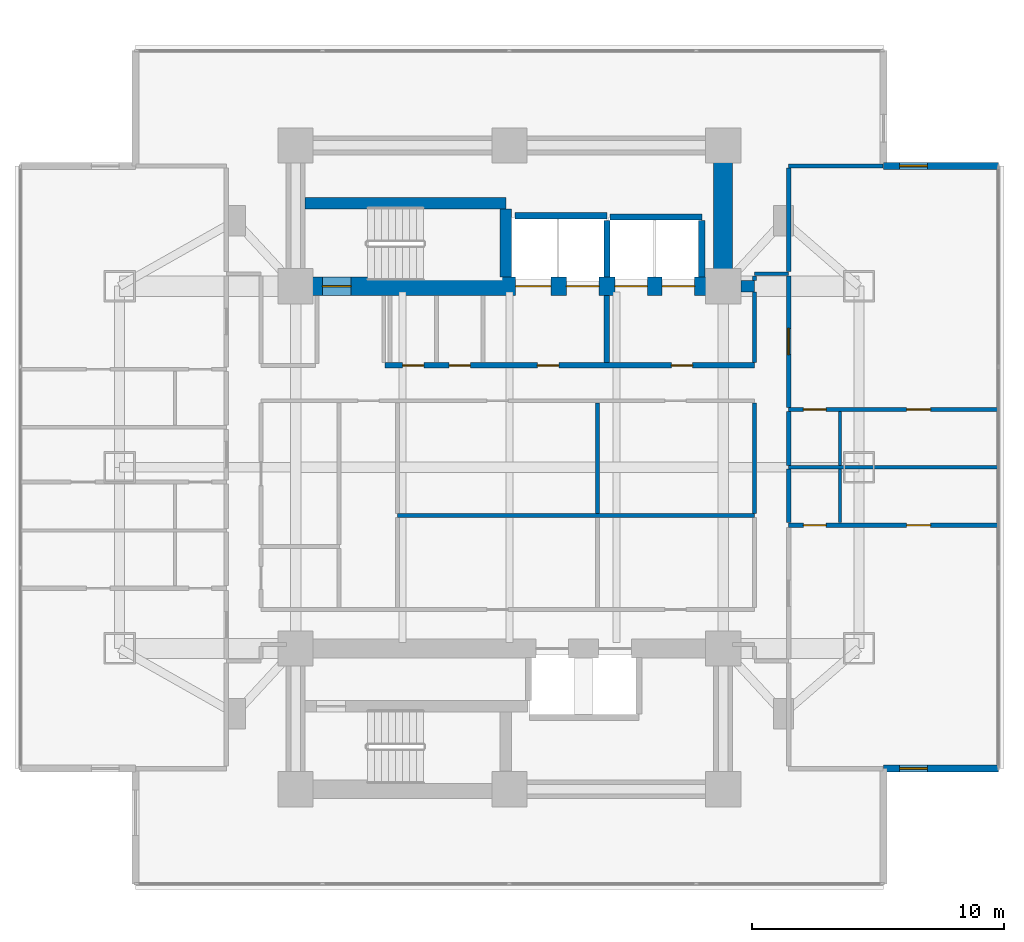
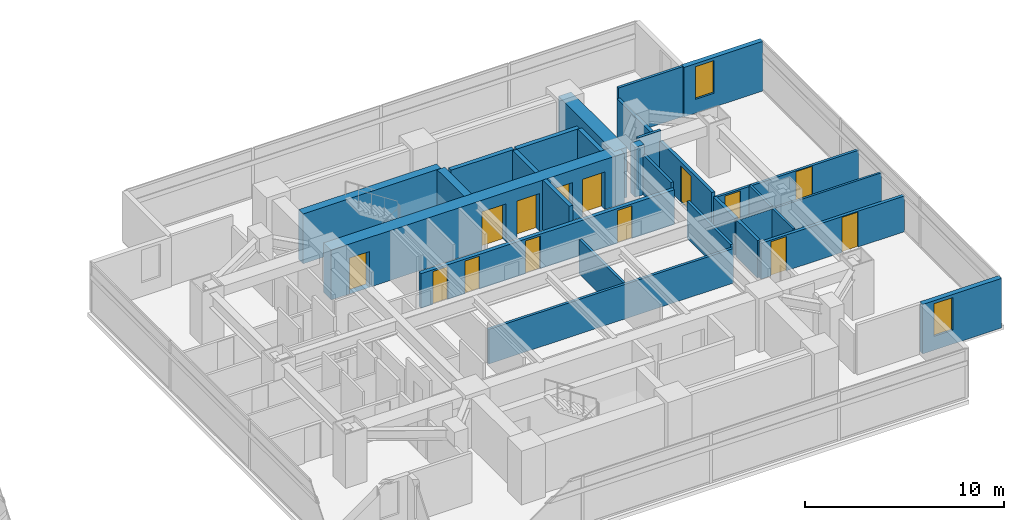
# One storey, part 20 of 26: 29 walls, 14 doors, 2 windows, 16 openings.
"""IFC4 building model written with IfcOpenShell, lengths in metres."""

from ifc_helpers import new_model, si_unit, direction, frame, frame_2d, origin, place, context, subcontext, project, spatial, rectangle, extrude, material, layer, layer_set, type_object, element, fill, save


model = new_model("IFC4")

# Units and contexts
model_context = context("Model", 3, precision=1e-05, world=origin(), true_north=direction((0.0, 1.0)))
body_context = subcontext(model_context, "Body", "Model", "MODEL_VIEW")
ifc_project = project(units=[si_unit("LENGTHUNIT", "METRE"), si_unit("AREAUNIT", "SQUARE_METRE"), si_unit("VOLUMEUNIT", "CUBIC_METRE"), si_unit("PLANEANGLEUNIT", "RADIAN"), si_unit("MASSUNIT", "GRAM", prefix="KILO")], contexts=[model_context])

# Site, building, storey
site_placement = place(None, origin())
site = spatial("IfcSite", under=ifc_project, at=site_placement, CompositionType="ELEMENT")
building_placement = place(site_placement, origin())
building = spatial("IfcBuilding", under=site, at=building_placement, Name="Mirazonda Arch Towers", CompositionType="ELEMENT")
storey_placement = place(building_placement, frame((0.0, 0.0, 45.5)))
storey = spatial("IfcBuildingStorey", under=building, at=storey_placement, Name="L12", CompositionType="ELEMENT", Elevation=45.5)

# Walls
ifc_material_1 = material(Name="Concrete C50/60", Category="concrete")
ifc_layer_1 = layer(ifc_material_1, 0.449951171875, Name="WALL-CORE-450")
ifc_layer_set_1 = layer_set([ifc_layer_1], Name="Concrete C50/60")
wall_type_1 = type_object("IfcWallType", Name="WALL-CORE-450", PredefinedType="SHEAR", material=ifc_layer_set_1)
wall_1_placement = place(storey_placement, frame((85.715087890625, 35.199951171875, 0.0), z_axis=(0.0, 0.0, 1.0), x_axis=(1.0, 0.0, 0.0)))
element("IfcWall", 1, at=wall_1_placement, inside=storey, type_object=wall_type_1, Name="L12 Stair Core Shear Wall 050", PredefinedType="SHEAR", context=body_context, shape_type="SweptSolid", body=[
    extrude(rectangle(XDim=0.534912109375, YDim=0.449951171875, at=frame_2d((0.267578125, 0.0))), origin(), (0.0, 0.0, 1.0), 3.06005859375),
])
wall_2_placement = place(storey_placement, frame((68.3701171875, 38.5, 0.0), z_axis=(0.0, 0.0, 1.0), x_axis=(1.0, 0.0, 0.0)))
element("IfcWall", 2, at=wall_2_placement, inside=storey, type_object=wall_type_1, Name="L12 Stair Core Shear Wall 056", PredefinedType="SHEAR", context=body_context, shape_type="SweptSolid", body=[
    extrude(rectangle(XDim=7.989990234375, YDim=0.449951171875, at=frame_2d((3.9951171875, 0.0))), origin(), (0.0, 0.0, 1.0), 3.06005859375),
])
wall_3_placement = place(storey_placement, frame((76.360107421875, 35.570068359375, 0.0), z_axis=(0.0, 0.0, 1.0), x_axis=(0.0, 1.0, 0.0)))
element("IfcWall", 3, at=wall_3_placement, inside=storey, type_object=wall_type_1, Name="L12 Stair Core Shear Wall 152", PredefinedType="SHEAR", context=body_context, shape_type="SweptSolid", body=[
    extrude(rectangle(XDim=2.69482421875, YDim=0.449951171875, at=frame_2d((1.347412109375, 0.0))), origin(), (0.0, 0.0, 1.0), 3.06005859375),
])
ifc_material_2 = material(Name="Concrete C60/75", Category="concrete")
ifc_layer_2 = layer(ifc_material_2, 0.75, Name="WALL-CORE-750")
ifc_layer_set_2 = layer_set([ifc_layer_2], Name="Concrete C60/75")
wall_type_2 = type_object("IfcWallType", Name="WALL-CORE-750", PredefinedType="SHEAR", material=ifc_layer_set_2)
wall_4_placement = place(storey_placement, frame((85.0, 35.199951171875, 0.0), z_axis=(0.0, 0.0, 1.0), x_axis=(0.0, 1.0, 0.0)))
element("IfcWall", 4, at=wall_4_placement, inside=storey, type_object=wall_type_2, Name="L12 T2N-E Core Shear Wall", PredefinedType="SHEAR", context=body_context, shape_type="SweptSolid", body=[
    extrude(rectangle(XDim=5.60009765625, YDim=0.75, at=frame_2d((2.800048828125, 0.0))), origin(), (0.0, 0.0, 1.0), 3.06005859375),
])

# Wall, openings, doors
wall_5_placement = place(storey_placement, frame((68.0, 35.199951171875, 0.0), z_axis=(0.0, 0.0, 1.0), x_axis=(1.0, 0.0, 0.0)))
wall_5 = element("IfcWall", 5, at=wall_5_placement, inside=storey, type_object=wall_type_2, Name="L12 T2N-S Core Shear Wall", PredefinedType="SHEAR", context=body_context, shape_type="SweptSolid", body=[
    extrude(rectangle(XDim=17.0, YDim=0.75, at=frame_2d((8.5, 0.0))), origin(), (0.0, 0.0, 1.0), 3.06005859375),
])
opening_1_placement = place(wall_5_placement, frame((1.06005859375, 0.0, 0.0)))
opening_1 = element("IfcOpeningElement", 6, at=opening_1_placement, cuts=wall_5, Name="Opening DR-135", PredefinedType="OPENING", context=body_context, shape_type="SweptSolid", body=[
    extrude(rectangle(XDim=1.14990234375, YDim=2.199951171875, at=frame_2d((0.574951171875, 1.10009765625))), frame((0.0, 0.385009765625, 0.0), z_axis=(0.0, -1.0, 0.0), x_axis=(1.0, 0.0, 0.0)), (0.0, 0.0, 1.0), 0.77001953125),
])
opening_2_placement = place(wall_5_placement, frame((8.75, 0.0, 0.0)))
opening_2 = element("IfcOpeningElement", 7, at=opening_2_placement, cuts=wall_5, Name="Opening LD-112", PredefinedType="OPENING", context=body_context, shape_type="SweptSolid", body=[
    extrude(rectangle(XDim=1.39990234375, YDim=2.35009765625, at=frame_2d((0.699951171875, 1.175048828125))), frame((0.0, 0.385009765625, 0.0), z_axis=(0.0, -1.0, 0.0), x_axis=(1.0, 0.0, 0.0)), (0.0, 0.0, 1.0), 0.77001953125),
])
opening_3_placement = place(wall_5_placement, frame((10.77001953125, 0.0, 0.0)))
opening_3 = element("IfcOpeningElement", 8, at=opening_3_placement, cuts=wall_5, Name="Opening LD-111", PredefinedType="OPENING", context=body_context, shape_type="SweptSolid", body=[
    extrude(rectangle(XDim=1.300048828125, YDim=2.300048828125, at=frame_2d((0.64990234375, 1.14990234375))), frame((0.0, 0.385009765625, 0.0), z_axis=(0.0, -1.0, 0.0), x_axis=(1.0, 0.0, 0.0)), (0.0, 0.0, 1.0), 0.77001953125),
])
opening_4_placement = place(wall_5_placement, frame((12.68994140625, 0.0, 0.0)))
opening_4 = element("IfcOpeningElement", 9, at=opening_4_placement, cuts=wall_5, Name="Opening LD-111", PredefinedType="OPENING", context=body_context, shape_type="SweptSolid", body=[
    extrude(rectangle(XDim=1.300048828125, YDim=2.300048828125, at=frame_2d((0.64990234375, 1.14990234375))), frame((0.0, 0.385009765625, 0.0), z_axis=(0.0, -1.0, 0.0), x_axis=(1.0, 0.0, 0.0)), (0.0, 0.0, 1.0), 0.77001953125),
])
opening_5_placement = place(wall_5_placement, frame((14.570068359375, 0.0, 0.0)))
opening_5 = element("IfcOpeningElement", 10, at=opening_5_placement, cuts=wall_5, Name="Opening LD-111", PredefinedType="OPENING", context=body_context, shape_type="SweptSolid", body=[
    extrude(rectangle(XDim=1.300048828125, YDim=2.300048828125, at=frame_2d((0.64990234375, 1.14990234375))), frame((0.0, 0.385009765625, 0.0), z_axis=(0.0, -1.0, 0.0), x_axis=(1.0, 0.0, 0.0)), (0.0, 0.0, 1.0), 0.77001953125),
])
ifc_material_3 = material(Name="Architectural Brushed Steel S355", Category="steel")
door_type_1 = type_object("IfcDoorType", Name="DOOR-LIFT-FFL-1400", OperationType="NOTDEFINED", PredefinedType="DOOR", material=ifc_material_3)
door_1_placement = place(opening_2_placement, origin())
door_1 = element("IfcDoor", 11, at=door_1_placement, inside=storey, type_object=door_type_1, Name="L12 Lift Landing Sliding Door FFL-T2", OperationType="DOUBLE_DOOR_SLIDING", OverallHeight=2.35009765625, OverallWidth=1.39990234375, PredefinedType="DOOR", context=body_context, shape_type="SweptSolid", body=[
    extrude(rectangle(XDim=1.39990234375, YDim=2.35009765625, at=frame_2d((0.699951171875, 1.175048828125))), frame((0.0, 0.02490234375, 0.0), z_axis=(0.0, -1.0, 0.0), x_axis=(1.0, 0.0, 0.0)), (0.0, 0.0, 1.0), 0.050048828125),
])
fill(opening_2, door_1)
door_type_2 = type_object("IfcDoorType", Name="DOOR-LIFT-LAND-1300", OperationType="NOTDEFINED", PredefinedType="DOOR", material=ifc_material_3)
door_2_placement = place(opening_3_placement, origin())
door_2 = element("IfcDoor", 12, at=door_2_placement, inside=storey, type_object=door_type_2, Name="L12 Lift Landing Sliding Door SVL-T2", OperationType="DOUBLE_DOOR_SLIDING", OverallHeight=2.300048828125, OverallWidth=1.300048828125, PredefinedType="DOOR", context=body_context, shape_type="SweptSolid", body=[
    extrude(rectangle(XDim=1.300048828125, YDim=2.300048828125, at=frame_2d((0.64990234375, 1.14990234375))), frame((0.0, 0.02490234375, 0.0), z_axis=(0.0, -1.0, 0.0), x_axis=(1.0, 0.0, 0.0)), (0.0, 0.0, 1.0), 0.050048828125),
])
fill(opening_3, door_2)
door_3_placement = place(opening_4_placement, origin())
door_3 = element("IfcDoor", 13, at=door_3_placement, inside=storey, type_object=door_type_2, Name="L12 Lift Landing Sliding Door PL-T2L1", OperationType="DOUBLE_DOOR_SLIDING", OverallHeight=2.300048828125, OverallWidth=1.300048828125, PredefinedType="DOOR", context=body_context, shape_type="SweptSolid", body=[
    extrude(rectangle(XDim=1.300048828125, YDim=2.300048828125, at=frame_2d((0.64990234375, 1.14990234375))), frame((0.0, 0.02490234375, 0.0), z_axis=(0.0, -1.0, 0.0), x_axis=(1.0, 0.0, 0.0)), (0.0, 0.0, 1.0), 0.050048828125),
])
fill(opening_4, door_3)
door_4_placement = place(opening_5_placement, origin())
door_4 = element("IfcDoor", 14, at=door_4_placement, inside=storey, type_object=door_type_2, Name="L12 Lift Landing Sliding Door PL-T2L2", OperationType="DOUBLE_DOOR_SLIDING", OverallHeight=2.300048828125, OverallWidth=1.300048828125, PredefinedType="DOOR", context=body_context, shape_type="SweptSolid", body=[
    extrude(rectangle(XDim=1.300048828125, YDim=2.300048828125, at=frame_2d((0.64990234375, 1.14990234375))), frame((0.0, 0.02490234375, 0.0), z_axis=(0.0, -1.0, 0.0), x_axis=(1.0, 0.0, 0.0)), (0.0, 0.0, 1.0), 0.050048828125),
])
fill(opening_5, door_4)
door_type_3 = type_object("IfcDoorType", Name="DOOR-STAIR-FD90-1150", OperationType="NOTDEFINED", PredefinedType="DOOR", material=ifc_material_3)
door_5_placement = place(opening_1_placement, origin())
door_5 = element("IfcDoor", 15, at=door_5_placement, inside=storey, type_object=door_type_3, Name="L12 East Protected Stair North Door", OperationType="SINGLE_SWING_RIGHT", OverallHeight=2.199951171875, OverallWidth=1.14990234375, PredefinedType="DOOR", context=body_context, shape_type="SweptSolid", body=[
    extrude(rectangle(XDim=1.14990234375, YDim=2.199951171875, at=frame_2d((0.574951171875, 1.10009765625))), frame((0.0, 0.02490234375, 0.0), z_axis=(0.0, -1.0, 0.0), x_axis=(1.0, 0.0, 0.0)), (0.0, 0.0, 1.0), 0.050048828125),
])
fill(opening_1, door_5)

# Wall, opening, window
ifc_material_4 = material(Name="Precast Concrete C40/50", Category="concrete")
ifc_layer_3 = layer(ifc_material_4, 0.280029296875, Name="WALL-EXT-WALL-280")
ifc_layer_set_3 = layer_set([ifc_layer_3], Name="Precast Concrete C40/50")
wall_type_3 = type_object("IfcWallType", Name="WALL-EXT-WALL-280", PredefinedType="SOLIDWALL", material=ifc_layer_set_3)
wall_6_placement = place(storey_placement, frame((91.365966796875, 16.016845703125, 0.0), z_axis=(0.0, 0.0, 1.0), x_axis=(1.0, 0.0, 0.0)))
wall_6 = element("IfcWall", 16, at=wall_6_placement, inside=storey, type_object=wall_type_3, Name="L12 T2 Corner Notch Return Wall WL-L12-T2-CSE1", PredefinedType="SOLIDWALL", context=body_context, shape_type="SweptSolid", body=[
    extrude(rectangle(XDim=4.580078125, YDim=0.280029296875, at=frame_2d((2.2900390625, 0.0))), origin(), (0.0, 0.0, 1.0), 3.0400390625),
])
opening_6_placement = place(wall_6_placement, frame((0.64990234375, 0.0, 0.85009765625)))
opening_6 = element("IfcOpeningElement", 17, at=opening_6_placement, cuts=wall_6, Name="Opening WN-108", PredefinedType="OPENING", context=body_context, shape_type="SweptSolid", body=[
    extrude(rectangle(XDim=1.10009765625, YDim=2.0, at=frame_2d((0.550048828125, 1.0))), frame((0.0, 0.14990234375, 0.0), z_axis=(0.0, -1.0, 0.0), x_axis=(1.0, 0.0, 0.0)), (0.0, 0.0, 1.0), 0.300048828125),
])
ifc_material_5 = material(Name="Insulated Low-E Solar Glass", Category="glass")
window_type = type_object("IfcWindowType", Name="WIN-NOTCH-1100x2000", PartitioningType="SINGLE_PANEL", PredefinedType="WINDOW", material=ifc_material_5)
window_1_placement = place(opening_6_placement, origin())
window_1 = element("IfcWindow", 18, at=window_1_placement, inside=storey, type_object=window_type, Name="L12 Punched Facade Window WN-L12-T2-CSE1", OverallHeight=2.0, OverallWidth=1.10009765625, PartitioningType="SINGLE_PANEL", PredefinedType="WINDOW", context=body_context, shape_type="SweptSolid", body=[
    extrude(rectangle(XDim=1.10009765625, YDim=2.0, at=frame_2d((0.550048828125, 1.0))), frame((0.0, 0.030029296875, 0.0), z_axis=(0.0, -1.0, 0.0), x_axis=(1.0, 0.0, 0.0)), (0.0, 0.0, 1.0), 0.06005859375),
])
fill(opening_6, window_1)

wall_7_placement = place(storey_placement, frame((95.946044921875, 39.983154296875, 0.0), z_axis=(0.0, 0.0, 1.0), x_axis=(-1.0, 0.0, 0.0)))
wall_7 = element("IfcWall", 19, at=wall_7_placement, inside=storey, type_object=wall_type_3, Name="L12 T2 Corner Notch Return Wall WL-L12-T2-CNE2", PredefinedType="SOLIDWALL", context=body_context, shape_type="SweptSolid", body=[
    extrude(rectangle(XDim=4.580078125, YDim=0.280029296875, at=frame_2d((2.2900390625, 0.0))), origin(), (0.0, 0.0, 1.0), 3.0400390625),
])
opening_7_placement = place(wall_7_placement, frame((2.830078125, 0.0, 0.85009765625)))
opening_7 = element("IfcOpeningElement", 20, at=opening_7_placement, cuts=wall_7, Name="Opening WN-108", PredefinedType="OPENING", context=body_context, shape_type="SweptSolid", body=[
    extrude(rectangle(XDim=1.10009765625, YDim=2.0, at=frame_2d((0.550048828125, 1.0))), frame((0.0, 0.14990234375, 0.0), z_axis=(0.0, -1.0, 0.0), x_axis=(1.0, 0.0, 0.0)), (0.0, 0.0, 1.0), 0.300048828125),
])
window_2_placement = place(opening_7_placement, origin())
window_2 = element("IfcWindow", 21, at=window_2_placement, inside=storey, type_object=window_type, Name="L12 Punched Facade Window WN-L12-T2-CNE2", OverallHeight=2.0, OverallWidth=1.10009765625, PartitioningType="SINGLE_PANEL", PredefinedType="WINDOW", context=body_context, shape_type="SweptSolid", body=[
    extrude(rectangle(XDim=1.10009765625, YDim=2.0, at=frame_2d((0.550048828125, 1.0))), frame((0.0, 0.030029296875, 0.0), z_axis=(0.0, -1.0, 0.0), x_axis=(1.0, 0.0, 0.0)), (0.0, 0.0, 1.0), 0.06005859375),
])
fill(opening_7, window_2)

# Wall, openings, doors
ifc_material_6 = material(Name="Concrete C40/50", Category="concrete")
ifc_layer_4 = layer(ifc_material_6, 0.219970703125, Name="WALL-FFL-220")
ifc_layer_set_4 = layer_set([ifc_layer_4], Name="Concrete C40/50")
wall_type_4 = type_object("IfcWallType", Name="WALL-FFL-220", PredefinedType="SOLIDWALL", material=ifc_layer_set_4)
wall_8_placement = place(storey_placement, frame((71.550048828125, 32.050048828125, 0.0), z_axis=(0.0, 0.0, 1.0), x_axis=(1.0, 0.0, 0.0)))
wall_8 = element("IfcWall", 22, at=wall_8_placement, inside=storey, type_object=wall_type_4, Name="L12 Interior Partition 043", PredefinedType="SOLIDWALL", context=body_context, shape_type="SweptSolid", body=[
    extrude(rectangle(XDim=14.699951171875, YDim=0.219970703125, at=frame_2d((7.35009765625, 0.0))), origin(), (0.0, 0.0, 1.0), 2.125),
])
opening_8_placement = place(wall_8_placement, frame((11.389892578125, 0.0, 0.0)))
opening_8 = element("IfcOpeningElement", 23, at=opening_8_placement, cuts=wall_8, Name="Opening DR-128", PredefinedType="OPENING", context=body_context, shape_type="SweptSolid", body=[
    extrude(rectangle(XDim=0.85009765625, YDim=2.010009765625, at=frame_2d((0.425048828125, 1.0048828125))), frame((0.0, 0.119873046875, 0.0), z_axis=(0.0, -1.0, 0.0), x_axis=(1.0, 0.0, 0.0)), (0.0, 0.0, 1.0), 0.239990234375),
])
opening_9_placement = place(wall_8_placement, frame((6.06494140625, 0.0, 0.0)))
opening_9 = element("IfcOpeningElement", 24, at=opening_9_placement, cuts=wall_8, Name="Opening DR-128", PredefinedType="OPENING", context=body_context, shape_type="SweptSolid", body=[
    extrude(rectangle(XDim=0.85009765625, YDim=2.010009765625, at=frame_2d((0.425048828125, 1.0048828125))), frame((0.0, 0.119873046875, 0.0), z_axis=(0.0, -1.0, 0.0), x_axis=(1.0, 0.0, 0.0)), (0.0, 0.0, 1.0), 0.239990234375),
])
opening_10_placement = place(wall_8_placement, frame((0.699951171875, 0.0, 0.0)))
opening_10 = element("IfcOpeningElement", 25, at=opening_10_placement, cuts=wall_8, Name="Opening DR-128", PredefinedType="OPENING", context=body_context, shape_type="SweptSolid", body=[
    extrude(rectangle(XDim=0.85009765625, YDim=2.010009765625, at=frame_2d((0.425048828125, 1.0048828125))), frame((0.0, 0.119873046875, 0.0), z_axis=(0.0, -1.0, 0.0), x_axis=(1.0, 0.0, 0.0)), (0.0, 0.0, 1.0), 0.239990234375),
])
opening_11_placement = place(wall_8_placement, frame((2.550048828125, 0.0, 0.0)))
opening_11 = element("IfcOpeningElement", 26, at=opening_11_placement, cuts=wall_8, Name="Opening DR-128", PredefinedType="OPENING", context=body_context, shape_type="SweptSolid", body=[
    extrude(rectangle(XDim=0.85009765625, YDim=2.010009765625, at=frame_2d((0.425048828125, 1.0048828125))), frame((0.0, 0.119873046875, 0.0), z_axis=(0.0, -1.0, 0.0), x_axis=(1.0, 0.0, 0.0)), (0.0, 0.0, 1.0), 0.239990234375),
])
door_type_4 = type_object("IfcDoorType", Name="DOOR-RISER-FD60-850", OperationType="NOTDEFINED", PredefinedType="DOOR", material=ifc_material_3)
door_6_placement = place(opening_8_placement, origin())
door_6 = element("IfcDoor", 27, at=door_6_placement, inside=storey, type_object=door_type_4, Name="L12 East Passenger Lift Lobby Door", OperationType="SINGLE_SWING_LEFT", OverallHeight=2.010009765625, OverallWidth=0.85009765625, PredefinedType="DOOR", context=body_context, shape_type="SweptSolid", body=[
    extrude(rectangle(XDim=0.85009765625, YDim=2.010009765625, at=frame_2d((0.425048828125, 1.0048828125))), frame((0.0, 0.02490234375, 0.0), z_axis=(0.0, -1.0, 0.0), x_axis=(1.0, 0.0, 0.0)), (0.0, 0.0, 1.0), 0.050048828125),
])
fill(opening_8, door_6)
door_7_placement = place(opening_9_placement, origin())
door_7 = element("IfcDoor", 28, at=door_7_placement, inside=storey, type_object=door_type_4, Name="L12 East Firefighting Lift Lobby Door", OperationType="SINGLE_SWING_LEFT", OverallHeight=2.010009765625, OverallWidth=0.85009765625, PredefinedType="DOOR", context=body_context, shape_type="SweptSolid", body=[
    extrude(rectangle(XDim=0.85009765625, YDim=2.010009765625, at=frame_2d((0.425048828125, 1.0048828125))), frame((0.0, 0.02490234375, 0.0), z_axis=(0.0, -1.0, 0.0), x_axis=(1.0, 0.0, 0.0)), (0.0, 0.0, 1.0), 0.050048828125),
])
fill(opening_9, door_7)
door_8_placement = place(opening_10_placement, origin())
door_8 = element("IfcDoor", 29, at=door_8_placement, inside=storey, type_object=door_type_4, Name="L12 Tower 2 Electrical Room Door", OperationType="SINGLE_SWING_RIGHT", OverallHeight=2.010009765625, OverallWidth=0.85009765625, PredefinedType="DOOR", context=body_context, shape_type="SweptSolid", body=[
    extrude(rectangle(XDim=0.85009765625, YDim=2.010009765625, at=frame_2d((0.425048828125, 1.0048828125))), frame((0.0, 0.02490234375, 0.0), z_axis=(0.0, -1.0, 0.0), x_axis=(1.0, 0.0, 0.0)), (0.0, 0.0, 1.0), 0.050048828125),
])
fill(opening_10, door_8)
door_9_placement = place(opening_11_placement, origin())
door_9 = element("IfcDoor", 30, at=door_9_placement, inside=storey, type_object=door_type_4, Name="L12 Tower 2 Cleaners Store Door", OperationType="SINGLE_SWING_LEFT", OverallHeight=2.010009765625, OverallWidth=0.85009765625, PredefinedType="DOOR", context=body_context, shape_type="SweptSolid", body=[
    extrude(rectangle(XDim=0.85009765625, YDim=2.010009765625, at=frame_2d((0.425048828125, 1.0048828125))), frame((0.0, 0.02490234375, 0.0), z_axis=(0.0, -1.0, 0.0), x_axis=(1.0, 0.0, 0.0)), (0.0, 0.0, 1.0), 0.050048828125),
])
fill(opening_11, door_9)

# Walls
wall_9_placement = place(storey_placement, frame((80.3798828125, 32.169921875, 0.0), z_axis=(0.0, 0.0, 1.0), x_axis=(0.0, 1.0, 0.0)))
element("IfcWall", 31, at=wall_9_placement, inside=storey, type_object=wall_type_4, Name="L12 Interior Partition 156", PredefinedType="SOLIDWALL", context=body_context, shape_type="SweptSolid", body=[
    extrude(rectangle(XDim=2.66015625, YDim=0.219970703125, at=frame_2d((1.330078125, 0.0))), origin(), (0.0, 0.0, 1.0), 3.06005859375),
])
ifc_material_7 = material(Name="Fire-Rated Gypsum Stud Partition")
ifc_layer_5 = layer(ifc_material_7, 0.14990234375, Name="WALL-PART-CORR-150")
ifc_layer_set_5 = layer_set([ifc_layer_5], Name="Fire-Rated Gypsum Stud Partition")
wall_type_5 = type_object("IfcWallType", Name="WALL-PART-CORR-150", PredefinedType="PARTITIONING", material=ifc_layer_set_5)
wall_10_placement = place(storey_placement, frame((72.050048828125, 26.0849609375, 0.0), z_axis=(0.0, 0.0, 1.0), x_axis=(1.0, 0.0, 0.0)))
element("IfcWall", 32, at=wall_10_placement, inside=storey, type_object=wall_type_5, Name="L12 Interior Partition 032", PredefinedType="PARTITIONING", context=body_context, shape_type="SweptSolid", body=[
    extrude(rectangle(XDim=14.199951171875, YDim=0.14990234375, at=frame_2d((7.10009765625, 0.0))), origin(), (0.0, 0.0, 1.0), 2.125),
])

# Wall, openings, doors
wall_11_placement = place(storey_placement, frame((87.60009765625, 30.300048828125, 0.0), z_axis=(0.0, 0.0, 1.0), x_axis=(1.0, 0.0, 0.0)))
wall_11 = element("IfcWall", 33, at=wall_11_placement, inside=storey, type_object=wall_type_5, Name="L12 Interior Partition 038", PredefinedType="PARTITIONING", context=body_context, shape_type="SweptSolid", body=[
    extrude(rectangle(XDim=8.345947265625, YDim=0.14990234375, at=frame_2d((4.1728515625, 0.0))), origin(), (0.0, 0.0, 1.0), 2.196044921875),
])
opening_12_placement = place(wall_11_placement, frame((4.697998046875, 0.0, 0.0)))
opening_12 = element("IfcOpeningElement", 34, at=opening_12_placement, cuts=wall_11, Name="Opening DR-104", PredefinedType="OPENING", context=body_context, shape_type="SweptSolid", body=[
    extrude(rectangle(XDim=0.949951171875, YDim=2.14990234375, at=frame_2d((0.47509765625, 1.074951171875))), frame((0.0, 0.0849609375, 0.0), z_axis=(0.0, -1.0, 0.0), x_axis=(1.0, 0.0, 0.0)), (0.0, 0.0, 1.0), 0.169921875),
])
opening_13_placement = place(wall_11_placement, frame((0.590087890625, 0.0, 0.0)))
opening_13 = element("IfcOpeningElement", 35, at=opening_13_placement, cuts=wall_11, Name="Opening DR-120", PredefinedType="OPENING", context=body_context, shape_type="SweptSolid", body=[
    extrude(rectangle(XDim=0.89990234375, YDim=2.10009765625, at=frame_2d((0.449951171875, 1.050048828125))), frame((0.0, 0.0849609375, 0.0), z_axis=(0.0, -1.0, 0.0), x_axis=(1.0, 0.0, 0.0)), (0.0, 0.0, 1.0), 0.169921875),
])
door_type_5 = type_object("IfcDoorType", Name="DOOR-ROOM-950", OperationType="NOTDEFINED", PredefinedType="DOOR", material=ifc_material_3)
door_10_placement = place(opening_12_placement, origin())
door_10 = element("IfcDoor", 36, at=door_10_placement, inside=storey, type_object=door_type_5, Name="L12 Suite Bedroom 2 Door", OperationType="SINGLE_SWING_LEFT", OverallHeight=2.14990234375, OverallWidth=0.949951171875, PredefinedType="DOOR", context=body_context, shape_type="SweptSolid", body=[
    extrude(rectangle(XDim=0.949951171875, YDim=2.14990234375, at=frame_2d((0.47509765625, 1.074951171875))), frame((0.0, 0.02490234375, 0.0), z_axis=(0.0, -1.0, 0.0), x_axis=(1.0, 0.0, 0.0)), (0.0, 0.0, 1.0), 0.050048828125),
])
fill(opening_12, door_10)
door_type_6 = type_object("IfcDoorType", Name="DOOR-WC-900", OperationType="NOTDEFINED", PredefinedType="DOOR", material=ifc_material_3)
door_11_placement = place(opening_13_placement, origin())
door_11 = element("IfcDoor", 37, at=door_11_placement, inside=storey, type_object=door_type_6, Name="L12 Suite En-Suite Bathroom 2 Door", OperationType="SINGLE_SWING_RIGHT", OverallHeight=2.10009765625, OverallWidth=0.89990234375, PredefinedType="DOOR", context=body_context, shape_type="SweptSolid", body=[
    extrude(rectangle(XDim=0.89990234375, YDim=2.10009765625, at=frame_2d((0.449951171875, 1.050048828125))), frame((0.0, 0.02490234375, 0.0), z_axis=(0.0, -1.0, 0.0), x_axis=(1.0, 0.0, 0.0)), (0.0, 0.0, 1.0), 0.050048828125),
])
fill(opening_13, door_11)

# Walls
wall_12_placement = place(storey_placement, frame((86.25, 35.699951171875, 0.0), z_axis=(0.0, 0.0, 1.0), x_axis=(1.0, 0.0, 0.0)))
element("IfcWall", 38, at=wall_12_placement, inside=storey, type_object=wall_type_5, Name="L12 Interior Partition 052", PredefinedType="PARTITIONING", context=body_context, shape_type="SweptSolid", body=[
    extrude(rectangle(XDim=1.35009765625, YDim=0.14990234375, at=frame_2d((0.675048828125, 0.0))), origin(), (0.0, 0.0, 1.0), 3.06005859375),
])
wall_13_placement = place(storey_placement, frame((87.60009765625, 39.98291015625, 0.0), z_axis=(0.0, 0.0, 1.0), x_axis=(1.0, 0.0, 0.0)))
element("IfcWall", 39, at=wall_13_placement, inside=storey, type_object=wall_type_5, Name="L12 Interior Partition 058", PredefinedType="PARTITIONING", context=body_context, shape_type="SweptSolid", body=[
    extrude(rectangle(XDim=3.745849609375, YDim=0.14990234375, at=frame_2d((1.873046875, 0.0))), origin(), (0.0, 0.0, 1.0), 3.06005859375),
])
wall_14_placement = place(storey_placement, frame((80.001953125, 26.169921875, 0.0), z_axis=(0.0, 0.0, 1.0), x_axis=(0.0, 1.0, 0.0)))
element("IfcWall", 40, at=wall_14_placement, inside=storey, type_object=wall_type_5, Name="L12 Interior Partition 155", PredefinedType="PARTITIONING", context=body_context, shape_type="SweptSolid", body=[
    extrude(rectangle(XDim=4.39501953125, YDim=0.14990234375, at=frame_2d((2.197509765625, 0.0))), origin(), (0.0, 0.0, 1.0), 2.125),
])
wall_15_placement = place(storey_placement, frame((86.25, 26.169921875, 0.0), z_axis=(0.0, 0.0, 1.0), x_axis=(0.0, 1.0, 0.0)))
element("IfcWall", 41, at=wall_15_placement, inside=storey, type_object=wall_type_5, Name="L12 Interior Partition 162", PredefinedType="PARTITIONING", context=body_context, shape_type="SweptSolid", body=[
    extrude(rectangle(XDim=4.39501953125, YDim=0.14990234375, at=frame_2d((2.197509765625, 0.0))), origin(), (0.0, 0.0, 1.0), 2.279052734375),
])
wall_16_placement = place(storey_placement, frame((86.25, 32.169921875, 0.0), z_axis=(0.0, 0.0, 1.0), x_axis=(0.0, 1.0, 0.0)))
element("IfcWall", 42, at=wall_16_placement, inside=storey, type_object=wall_type_5, Name="L12 Interior Partition 163", PredefinedType="PARTITIONING", context=body_context, shape_type="SweptSolid", body=[
    extrude(rectangle(XDim=2.795166015625, YDim=0.14990234375, at=frame_2d((1.3974609375, 0.0))), origin(), (0.0, 0.0, 1.0), 2.451904296875),
])
wall_17_placement = place(storey_placement, frame((86.25, 35.43505859375, 0.0), z_axis=(0.0, 0.0, 1.0), x_axis=(0.0, 1.0, 0.0)))
element("IfcWall", 43, at=wall_17_placement, inside=storey, type_object=wall_type_5, Name="L12 Interior Partition 164", PredefinedType="PARTITIONING", context=body_context, shape_type="SweptSolid", body=[
    extrude(rectangle(XDim=0.179931640625, YDim=0.14990234375, at=frame_2d((0.08984375, 0.0))), origin(), (0.0, 0.0, 1.0), 2.451904296875),
])

# Wall, openings, doors
ifc_material_8 = material(Name="Fire-Rated Gypsum Twin-Stud Assembly")
ifc_layer_6 = layer(ifc_material_8, 0.179931640625, Name="WALL-PART-DEMISE-180")
ifc_layer_set_6 = layer_set([ifc_layer_6], Name="Fire-Rated Gypsum Twin-Stud Assembly")
wall_type_6 = type_object("IfcWallType", Name="WALL-PART-DEMISE-180", PredefinedType="PARTITIONING", material=ifc_layer_set_6)
wall_18_placement = place(storey_placement, frame((87.60009765625, 25.699951171875, 0.0), z_axis=(0.0, 0.0, 1.0), x_axis=(1.0, 0.0, 0.0)))
wall_18 = element("IfcWall", 44, at=wall_18_placement, inside=storey, type_object=wall_type_6, Name="L12 Interior Partition 031", PredefinedType="PARTITIONING", context=body_context, shape_type="SweptSolid", body=[
    extrude(rectangle(XDim=8.345947265625, YDim=0.179931640625, at=frame_2d((4.1728515625, 0.0))), origin(), (0.0, 0.0, 1.0), 2.196044921875),
])
opening_14_placement = place(wall_18_placement, frame((4.697998046875, 0.0, 0.0)))
opening_14 = element("IfcOpeningElement", 45, at=opening_14_placement, cuts=wall_18, Name="Opening DR-104", PredefinedType="OPENING", context=body_context, shape_type="SweptSolid", body=[
    extrude(rectangle(XDim=0.949951171875, YDim=2.14990234375, at=frame_2d((0.47509765625, 1.074951171875))), frame((0.0, 0.099853515625, 0.0), z_axis=(0.0, -1.0, 0.0), x_axis=(1.0, 0.0, 0.0)), (0.0, 0.0, 1.0), 0.199951171875),
])
opening_15_placement = place(wall_18_placement, frame((0.590087890625, 0.0, 0.0)))
opening_15 = element("IfcOpeningElement", 46, at=opening_15_placement, cuts=wall_18, Name="Opening DR-120", PredefinedType="OPENING", context=body_context, shape_type="SweptSolid", body=[
    extrude(rectangle(XDim=0.89990234375, YDim=2.10009765625, at=frame_2d((0.449951171875, 1.050048828125))), frame((0.0, 0.099853515625, 0.0), z_axis=(0.0, -1.0, 0.0), x_axis=(1.0, 0.0, 0.0)), (0.0, 0.0, 1.0), 0.199951171875),
])
door_12_placement = place(opening_14_placement, origin())
door_12 = element("IfcDoor", 47, at=door_12_placement, inside=storey, type_object=door_type_5, Name="L12 Suite Bedroom 1 Door", OperationType="SINGLE_SWING_RIGHT", OverallHeight=2.14990234375, OverallWidth=0.949951171875, PredefinedType="DOOR", context=body_context, shape_type="SweptSolid", body=[
    extrude(rectangle(XDim=0.949951171875, YDim=2.14990234375, at=frame_2d((0.47509765625, 1.074951171875))), frame((0.0, 0.02490234375, 0.0), z_axis=(0.0, -1.0, 0.0), x_axis=(1.0, 0.0, 0.0)), (0.0, 0.0, 1.0), 0.050048828125),
])
fill(opening_14, door_12)
door_13_placement = place(opening_15_placement, origin())
door_13 = element("IfcDoor", 48, at=door_13_placement, inside=storey, type_object=door_type_6, Name="L12 Suite En-Suite Bathroom 1 Door", OperationType="SINGLE_SWING_LEFT", OverallHeight=2.10009765625, OverallWidth=0.89990234375, PredefinedType="DOOR", context=body_context, shape_type="SweptSolid", body=[
    extrude(rectangle(XDim=0.89990234375, YDim=2.10009765625, at=frame_2d((0.449951171875, 1.050048828125))), frame((0.0, 0.02490234375, 0.0), z_axis=(0.0, -1.0, 0.0), x_axis=(1.0, 0.0, 0.0)), (0.0, 0.0, 1.0), 0.050048828125),
])
fill(opening_15, door_13)

# Walls
wall_19_placement = place(storey_placement, frame((87.60009765625, 25.800048828125, 0.0), z_axis=(0.0, 0.0, 1.0), x_axis=(0.0, 1.0, 0.0)))
element("IfcWall", 49, at=wall_19_placement, inside=storey, type_object=wall_type_6, Name="L12 Interior Partition 167", PredefinedType="PARTITIONING", context=body_context, shape_type="SweptSolid", body=[
    extrude(rectangle(XDim=2.12744140625, YDim=0.179931640625, at=frame_2d((1.063720703125, 0.0))), origin(), (0.0, 0.0, 1.0), 2.279052734375),
])
wall_20_placement = place(storey_placement, frame((87.60009765625, 28.072509765625, 0.0), z_axis=(0.0, 0.0, 1.0), x_axis=(0.0, 1.0, 0.0)))
element("IfcWall", 50, at=wall_20_placement, inside=storey, type_object=wall_type_6, Name="L12 Interior Partition 168", PredefinedType="PARTITIONING", context=body_context, shape_type="SweptSolid", body=[
    extrude(rectangle(XDim=2.142578125, YDim=0.179931640625, at=frame_2d((1.0712890625, 0.0))), origin(), (0.0, 0.0, 1.0), 2.279052734375),
])

# Wall, opening, door
wall_21_placement = place(storey_placement, frame((87.60009765625, 30.385009765625, 0.0), z_axis=(0.0, 0.0, 1.0), x_axis=(0.0, 1.0, 0.0)))
wall_21 = element("IfcWall", 51, at=wall_21_placement, inside=storey, type_object=wall_type_6, Name="L12 Interior Partition 169", PredefinedType="PARTITIONING", context=body_context, shape_type="SweptSolid", body=[
    extrude(rectangle(XDim=5.22998046875, YDim=0.179931640625, at=frame_2d((2.614990234375, 0.0))), origin(), (0.0, 0.0, 1.0), 2.451904296875),
])
opening_16_placement = place(wall_21_placement, frame((2.090087890625, 0.0, 0.0)))
opening_16 = element("IfcOpeningElement", 52, at=opening_16_placement, cuts=wall_21, Name="Opening DR-121", PredefinedType="OPENING", context=body_context, shape_type="SweptSolid", body=[
    extrude(rectangle(XDim=1.050048828125, YDim=2.199951171875, at=frame_2d((0.52490234375, 1.10009765625))), frame((0.0, 0.099853515625, 0.0), z_axis=(0.0, -1.0, 0.0), x_axis=(1.0, 0.0, 0.0)), (0.0, 0.0, 1.0), 0.199951171875),
])
door_type_7 = type_object("IfcDoorType", Name="DOOR-SUITE-FD60-1050", OperationType="NOTDEFINED", PredefinedType="DOOR", material=ifc_material_3)
door_14_placement = place(opening_16_placement, origin())
door_14 = element("IfcDoor", 53, at=door_14_placement, inside=storey, type_object=door_type_7, Name="L12 Presidential Hotel Suite 2 Door", OperationType="SINGLE_SWING_RIGHT", OverallHeight=2.199951171875, OverallWidth=1.050048828125, PredefinedType="DOOR", context=body_context, shape_type="SweptSolid", body=[
    extrude(rectangle(XDim=1.050048828125, YDim=2.199951171875, at=frame_2d((0.52490234375, 1.10009765625))), frame((0.0, 0.02490234375, 0.0), z_axis=(0.0, -1.0, 0.0), x_axis=(1.0, 0.0, 0.0)), (0.0, 0.0, 1.0), 0.050048828125),
])
fill(opening_16, door_14)

# Walls
wall_22_placement = place(storey_placement, frame((87.60009765625, 35.784912109375, 0.0), z_axis=(0.0, 0.0, 1.0), x_axis=(0.0, 1.0, 0.0)))
element("IfcWall", 54, at=wall_22_placement, inside=storey, type_object=wall_type_6, Name="L12 Interior Partition 170", PredefinedType="PARTITIONING", context=body_context, shape_type="SweptSolid", body=[
    extrude(rectangle(XDim=4.113037109375, YDim=0.179931640625, at=frame_2d((2.056640625, 0.0))), origin(), (0.0, 0.0, 1.0), 2.43603515625),
])
ifc_material_9 = material(Name="Acoustic Fire-Rated Gypsum Partition")
ifc_layer_7 = layer(ifc_material_9, 0.125, Name="WALL-PART-UNIT-125")
ifc_layer_set_7 = layer_set([ifc_layer_7], Name="Acoustic Fire-Rated Gypsum Partition")
wall_type_7 = type_object("IfcWallType", Name="WALL-PART-UNIT-125", PredefinedType="PARTITIONING", material=ifc_layer_set_7)
wall_23_placement = place(storey_placement, frame((87.60009765625, 28.0, 0.0), z_axis=(0.0, 0.0, 1.0), x_axis=(1.0, 0.0, 0.0)))
element("IfcWall", 55, at=wall_23_placement, inside=storey, type_object=wall_type_7, Name="L12 Interior Partition 036", PredefinedType="PARTITIONING", context=body_context, shape_type="SweptSolid", body=[
    extrude(rectangle(XDim=8.345947265625, YDim=0.125, at=frame_2d((4.1728515625, 0.0))), origin(), (0.0, 0.0, 1.0), 2.196044921875),
])
wall_24_placement = place(storey_placement, frame((89.639892578125, 25.800048828125, 0.0), z_axis=(0.0, 0.0, 1.0), x_axis=(0.0, 1.0, 0.0)))
element("IfcWall", 56, at=wall_24_placement, inside=storey, type_object=wall_type_7, Name="L12 Interior Partition 171", PredefinedType="PARTITIONING", context=body_context, shape_type="SweptSolid", body=[
    extrude(rectangle(XDim=2.12744140625, YDim=0.125, at=frame_2d((1.063720703125, 0.0))), origin(), (0.0, 0.0, 1.0), 2.279052734375),
])
wall_25_placement = place(storey_placement, frame((89.639892578125, 28.072509765625, 0.0), z_axis=(0.0, 0.0, 1.0), x_axis=(0.0, 1.0, 0.0)))
element("IfcWall", 57, at=wall_25_placement, inside=storey, type_object=wall_type_7, Name="L12 Interior Partition 172", PredefinedType="PARTITIONING", context=body_context, shape_type="SweptSolid", body=[
    extrude(rectangle(XDim=2.142578125, YDim=0.125, at=frame_2d((1.0712890625, 0.0))), origin(), (0.0, 0.0, 1.0), 2.279052734375),
])
ifc_layer_8 = layer(ifc_material_6, 0.25, Name="WALL-SHAFT-250")
ifc_layer_set_8 = layer_set([ifc_layer_8], Name="Concrete C40/50")
wall_type_8 = type_object("IfcWallType", Name="WALL-SHAFT-250", PredefinedType="SOLIDWALL", material=ifc_layer_set_8)
wall_26_placement = place(storey_placement, frame((80.5, 37.949951171875, 0.0), z_axis=(0.0, 0.0, 1.0), x_axis=(1.0, 0.0, 0.0)))
element("IfcWall", 58, at=wall_26_placement, inside=storey, type_object=wall_type_8, Name="L12 Interior Partition 054", PredefinedType="SOLIDWALL", context=body_context, shape_type="SweptSolid", body=[
    extrude(rectangle(XDim=3.64990234375, YDim=0.25, at=frame_2d((1.824951171875, 0.0))), origin(), (0.0, 0.0, 1.0), 3.06005859375),
])
wall_27_placement = place(storey_placement, frame((76.719970703125, 38.0, 0.0), z_axis=(0.0, 0.0, 1.0), x_axis=(1.0, 0.0, 0.0)))
element("IfcWall", 59, at=wall_27_placement, inside=storey, type_object=wall_type_8, Name="L12 Interior Partition 055", PredefinedType="SOLIDWALL", context=body_context, shape_type="SweptSolid", body=[
    extrude(rectangle(XDim=3.659912109375, YDim=0.25, at=frame_2d((1.830078125, 0.0))), origin(), (0.0, 0.0, 1.0), 3.06005859375),
])
for number, where, z_axis, x_axis, name in (
    (60, (80.3798828125, 35.570068359375, 0.0), (0.0, 0.0, 1.0), (0.0, 1.0, 0.0), "L12 Interior Partition 157"),
    (61, (84.14990234375, 35.570068359375, 0.0), (0.0, 0.0, 1.0), (0.0, 1.0, 0.0), "L12 Interior Partition 159"),
):
    element("IfcWall", number, at=place(storey_placement, frame(where, z_axis=z_axis, x_axis=x_axis)), inside=storey, type_object=wall_type_8, Name=name, PredefinedType="SOLIDWALL", context=body_context, shape_type="SweptSolid", body=[
        extrude(rectangle(XDim=2.244873046875, YDim=0.25, at=frame_2d((1.12255859375, 0.0))), origin(), (0.0, 0.0, 1.0), 3.06005859375),
    ])

save(model, "model.ifc")
